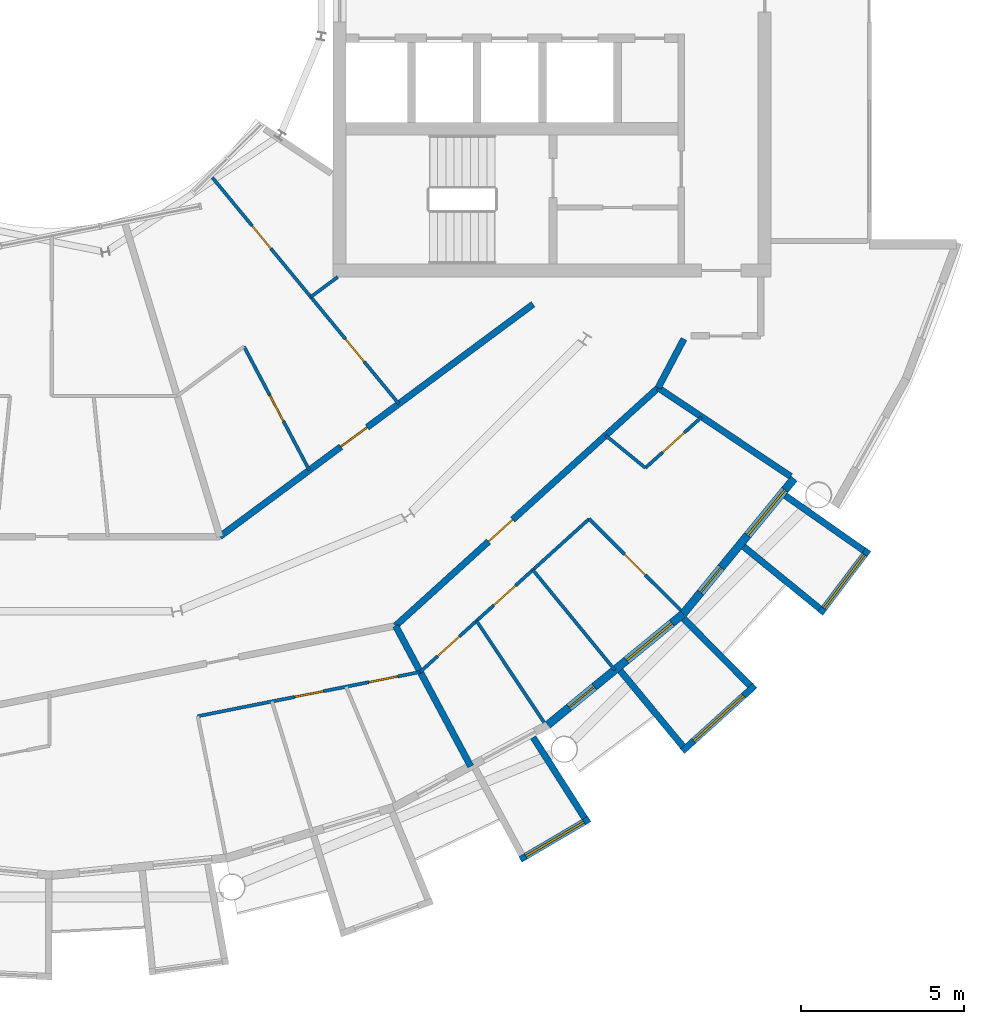
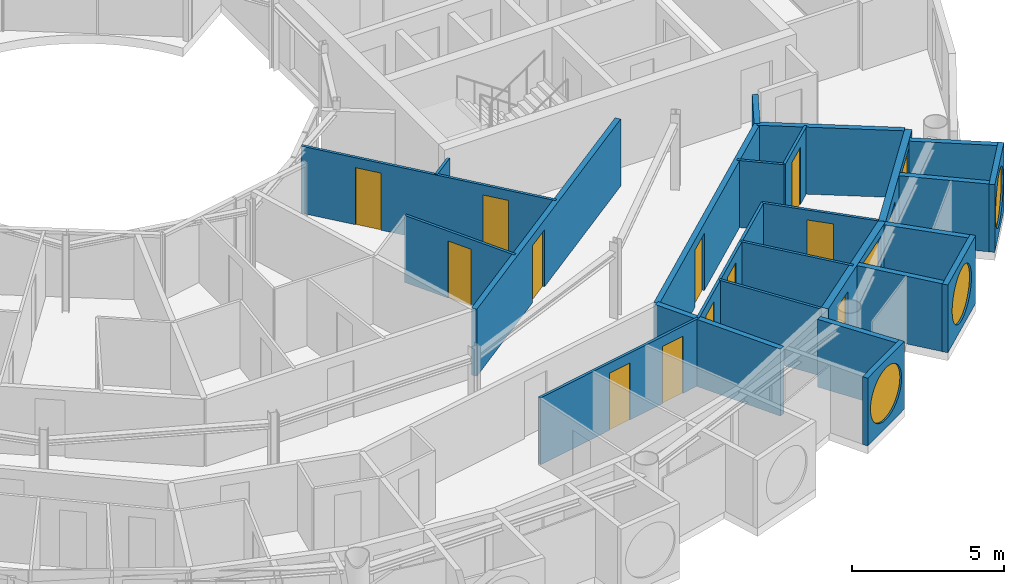
# One storey, part 18 of 28: 25 walls, 13 doors, 5 windows, 18 openings.
"""IFC4 building model written with IfcOpenShell, lengths in metres."""

from ifc_helpers import new_model, si_unit, direction, frame, frame_2d, origin, place, context, subcontext, project, spatial, rectangle, circle, extrude, material, layer, layer_set, type_object, element, fill, save


model = new_model("IFC4")

# Units and contexts
model_context = context("Model", 3, precision=1e-05, world=origin(), true_north=direction((0.0, 1.0)))
body_context = subcontext(model_context, "Body", "Model", "MODEL_VIEW")
ifc_project = project(units=[si_unit("LENGTHUNIT", "METRE"), si_unit("AREAUNIT", "SQUARE_METRE"), si_unit("VOLUMEUNIT", "CUBIC_METRE"), si_unit("PLANEANGLEUNIT", "RADIAN"), si_unit("MASSUNIT", "GRAM", prefix="KILO")], contexts=[model_context])

# Site, building, storey
site_placement = place(None, origin())
site = spatial("IfcSite", under=ifc_project, at=site_placement, CompositionType="ELEMENT")
building_placement = place(site_placement, origin())
building = spatial("IfcBuilding", under=site, at=building_placement, Name="Maasbend Ring Residences", CompositionType="ELEMENT")
storey_placement = place(building_placement, frame((0.0, 0.0, 227.949951171875)))
storey = spatial("IfcBuildingStorey", under=building, at=storey_placement, Name="L65", CompositionType="ELEMENT", Elevation=227.949951171875)

# Wall
ifc_material_1 = material(Name="Concrete C30/37", Category="concrete")
ifc_layer_1 = layer(ifc_material_1, 0.199951171875)
ifc_layer_set_1 = layer_set([ifc_layer_1], Name="Concrete C30/37")
wall_type_1 = type_object("IfcWallType", Name="CORRIDOR WALL 200 CONCRETE", PredefinedType="PARTITIONING", material=ifc_layer_set_1)
wall_1_placement = place(storey_placement, frame((18.5419921875, -12.388916015625, 0.0), z_axis=(0.0, 0.0, 1.0), x_axis=(0.465812036273, 0.88488369115, 0.0)))
element("IfcWall", 1, at=wall_1_placement, inside=storey, type_object=wall_type_1, Name="U-L65-w010", PredefinedType="PARTITIONING", context=body_context, shape_type="SweptSolid", body=[
    extrude(rectangle(XDim=1.687255859375, YDim=0.199951171875, at=frame_2d((0.84375, 0.0))), origin(), (0.0, 0.0, 1.0), 2.699951171875),
])

# Wall, opening, door
wall_2_placement = place(storey_placement, frame((10.511962890625, -19.6669921875, 0.0), z_axis=(0.0, 0.0, 1.0), x_axis=(0.740947367223, 0.671563101283, 0.0)))
wall_2 = element("IfcWall", 2, at=wall_2_placement, inside=storey, type_object=wall_type_1, Name="U-L65-w014", PredefinedType="PARTITIONING", context=body_context, shape_type="SweptSolid", body=[
    extrude(rectangle(XDim=10.83740234375, YDim=0.199951171875, at=frame_2d((5.418701171875, 0.0))), origin(), (0.0, 0.0, 1.0), 2.699951171875),
])
opening_1_placement = place(wall_2_placement, frame((3.8349609375, 0.0, 0.0)))
opening_1 = element("IfcOpeningElement", 3, at=opening_1_placement, cuts=wall_2, Name="Opening D-6540", PredefinedType="OPENING", context=body_context, shape_type="SweptSolid", body=[
    extrude(rectangle(XDim=1.0, YDim=2.300048828125, at=frame_2d((0.5, 1.14990234375))), frame((0.0, 0.10986328125, 0.0), z_axis=(0.0, -1.0, 0.0), x_axis=(1.0, 0.0, 0.0)), (0.0, 0.0, 1.0), 0.219970703125),
])
ifc_material_2 = material(Name="Timber, fire-rated, painted", Category="wood")
door_type_1 = type_object("IfcDoorType", Name="FLAT ENTRANCE DOOR 1000 X 2300 FIRE-RATED", OperationType="NOTDEFINED", PredefinedType="DOOR", material=ifc_material_2)
door_1_placement = place(opening_1_placement, origin())
door_1 = element("IfcDoor", 4, at=door_1_placement, inside=storey, type_object=door_type_1, Name="D-6540", OperationType="SINGLE_SWING_LEFT", OverallHeight=2.300048828125, OverallWidth=1.0, PredefinedType="DOOR", context=body_context, shape_type="SweptSolid", body=[
    extrude(rectangle(XDim=1.0, YDim=2.300048828125, at=frame_2d((0.5, 1.14990234375))), frame((0.0, 0.02490234375, 0.0), z_axis=(0.0, -1.0, 0.0), x_axis=(1.0, 0.0, 0.0)), (0.0, 0.0, 1.0), 0.050048828125),
])
fill(opening_1, door_1)

wall_3_placement = place(storey_placement, frame((5.136962890625, -16.93798828125, 0.0), z_axis=(0.0, 0.0, 1.0), x_axis=(0.803240181354, 0.595655278712, 0.0)))
wall_3 = element("IfcWall", 5, at=wall_3_placement, inside=storey, type_object=wall_type_1, Name="U-L65-w019", PredefinedType="PARTITIONING", context=body_context, shape_type="SweptSolid", body=[
    extrude(rectangle(XDim=11.927978515625, YDim=0.199951171875, at=frame_2d((5.9638671875, 0.0))), origin(), (0.0, 0.0, 1.0), 2.699951171875),
])
opening_2_placement = place(wall_3_placement, frame((4.612060546875, 0.0, 0.0)))
opening_2 = element("IfcOpeningElement", 6, at=opening_2_placement, cuts=wall_3, Name="Opening D-6553", PredefinedType="OPENING", context=body_context, shape_type="SweptSolid", body=[
    extrude(rectangle(XDim=1.0, YDim=2.300048828125, at=frame_2d((0.5, 1.14990234375))), frame((0.0, 0.10986328125, 0.0), z_axis=(0.0, -1.0, 0.0), x_axis=(1.0, 0.0, 0.0)), (0.0, 0.0, 1.0), 0.219970703125),
])
door_2_placement = place(opening_2_placement, origin())
door_2 = element("IfcDoor", 7, at=door_2_placement, inside=storey, type_object=door_type_1, Name="D-6553", OperationType="SINGLE_SWING_LEFT", OverallHeight=2.300048828125, OverallWidth=1.0, PredefinedType="DOOR", context=body_context, shape_type="SweptSolid", body=[
    extrude(rectangle(XDim=1.0, YDim=2.300048828125, at=frame_2d((0.5, 1.14990234375))), frame((0.0, 0.02490234375, 0.0), z_axis=(0.0, -1.0, 0.0), x_axis=(1.0, 0.0, 0.0)), (0.0, 0.0, 1.0), 0.050048828125),
])
fill(opening_2, door_2)

# Wall, opening, window
ifc_material_3 = material(Name="Pale anodised aluminium panel", Category="aluminium")
ifc_layer_2 = layer(ifc_material_3, 0.199951171875)
ifc_layer_set_2 = layer_set([ifc_layer_2], Name="EW-BOX")
wall_type_2 = type_object("IfcWallType", Name="EW-BOX", PredefinedType="SOLIDWALL", material=ifc_layer_set_2)
wall_4_placement = place(storey_placement, frame((14.326904296875, -26.81201171875, -0.030029296875), z_axis=(0.0, 0.0, 1.0), x_axis=(0.862403467503, 0.506221551535, 0.0)))
wall_4 = element("IfcWall", 8, at=wall_4_placement, inside=storey, type_object=wall_type_2, Name="Box front S16", PredefinedType="SOLIDWALL", context=body_context, shape_type="SweptSolid", body=[
    extrude(rectangle(XDim=2.445556640625, YDim=0.199951171875, at=frame_2d((1.22265625, 0.0))), origin(), (0.0, 0.0, 1.0), 2.72998046875),
])
opening_3_placement = place(wall_4_placement, frame((0.182861328125, 0.0, 0.330078125)))
opening_3 = element("IfcOpeningElement", 9, at=opening_3_placement, cuts=wall_4, Name="Opening W-RD", PredefinedType="OPENING", context=body_context, shape_type="SweptSolid", body=[
    extrude(circle(Radius=1.0400390625, at=frame_2d((1.0400390625, 1.0400390625))), frame((0.0, 0.10986328125, 0.0), z_axis=(0.0, -1.0, 0.0), x_axis=(1.0, 0.0, 0.0)), (0.0, 0.0, 1.0), 0.219970703125),
])
ifc_material_4 = material(Name="Aluminium and clear glass", Category="aluminium")
window_type_1 = type_object("IfcWindowType", Name="W-RD", PartitioningType="SINGLE_PANEL", PredefinedType="WINDOW", material=ifc_material_4)
window_1_placement = place(opening_3_placement, origin())
window_1 = element("IfcWindow", 10, at=window_1_placement, inside=storey, type_object=window_type_1, Name="Round window S16", OverallHeight=2.080078125, OverallWidth=2.080078125, PartitioningType="SINGLE_PANEL", PredefinedType="WINDOW", context=body_context, shape_type="SweptSolid", body=[
    extrude(circle(Radius=1.0400390625, at=frame_2d((1.0400390625, 1.0400390625))), frame((0.0, 0.030029296875, 0.0), z_axis=(0.0, -1.0, 0.0), x_axis=(1.0, 0.0, 0.0)), (0.0, 0.0, 1.0), 0.06005859375),
])
fill(opening_3, window_1)

# Wall
wall_5_placement = place(storey_placement, frame((14.721923828125, -23.0791015625, -0.030029296875), z_axis=(0.0, 0.0, 1.0), x_axis=(0.537572179146, -0.843217737129, 0.0)))
element("IfcWall", 11, at=wall_5_placement, inside=storey, type_object=wall_type_2, Name="Box side wall S16 right", PredefinedType="SOLIDWALL", context=body_context, shape_type="SweptSolid", body=[
    extrude(rectangle(XDim=2.92431640625, YDim=0.199951171875, at=frame_2d((1.462158203125, 0.0))), origin(), (0.0, 0.0, 1.0), 2.72998046875),
])

# Wall, opening, window
wall_6_placement = place(storey_placement, frame((19.281982421875, -23.5029296875, -0.030029296875), z_axis=(0.0, 0.0, 1.0), x_axis=(0.740998365753, 0.671506829416, 0.0)))
wall_6 = element("IfcWall", 12, at=wall_6_placement, inside=storey, type_object=wall_type_2, Name="Box front S18", PredefinedType="SOLIDWALL", context=body_context, shape_type="SweptSolid", body=[
    extrude(rectangle(XDim=2.9931640625, YDim=0.199951171875, at=frame_2d((1.49658203125, 0.0))), origin(), (0.0, 0.0, 1.0), 2.72998046875),
])
opening_4_placement = place(wall_6_placement, frame((0.45654296875, 0.0, 0.330078125)))
opening_4 = element("IfcOpeningElement", 13, at=opening_4_placement, cuts=wall_6, Name="Opening W-RD", PredefinedType="OPENING", context=body_context, shape_type="SweptSolid", body=[
    extrude(circle(Radius=1.0400390625, at=frame_2d((1.0400390625, 1.0400390625))), frame((0.0, 0.10986328125, 0.0), z_axis=(0.0, -1.0, 0.0), x_axis=(1.0, 0.0, 0.0)), (0.0, 0.0, 1.0), 0.219970703125),
])
window_2_placement = place(opening_4_placement, origin())
window_2 = element("IfcWindow", 14, at=window_2_placement, inside=storey, type_object=window_type_1, Name="Round window S18", OverallHeight=2.080078125, OverallWidth=2.080078125, PartitioningType="SINGLE_PANEL", PredefinedType="WINDOW", context=body_context, shape_type="SweptSolid", body=[
    extrude(circle(Radius=1.0400390625, at=frame_2d((1.0400390625, 1.0400390625))), frame((0.0, 0.030029296875, 0.0), z_axis=(0.0, -1.0, 0.0), x_axis=(1.0, 0.0, 0.0)), (0.0, 0.0, 1.0), 0.06005859375),
])
fill(opening_4, window_2)

# Walls
wall_7_placement = place(storey_placement, frame((17.384033203125, -21.041015625, -0.030029296875), z_axis=(0.0, 0.0, 1.0), x_axis=(0.63709551667, -0.770784861449, 0.0)))
element("IfcWall", 15, at=wall_7_placement, inside=storey, type_object=wall_type_2, Name="Box side wall S18 left", PredefinedType="SOLIDWALL", context=body_context, shape_type="SweptSolid", body=[
    extrude(rectangle(XDim=3.005859375, YDim=0.199951171875, at=frame_2d((1.5029296875, 0.0))), origin(), (0.0, 0.0, 1.0), 2.72998046875),
])
wall_8_placement = place(storey_placement, frame((19.322998046875, -19.449951171875, -0.030029296875), z_axis=(0.0, 0.0, 1.0), x_axis=(0.704476739375, -0.709727076896, 0.0)))
element("IfcWall", 16, at=wall_8_placement, inside=storey, type_object=wall_type_2, Name="Box side wall S18 right", PredefinedType="SOLIDWALL", context=body_context, shape_type="SweptSolid", body=[
    extrude(rectangle(XDim=2.883056640625, YDim=0.199951171875, at=frame_2d((1.44140625, 0.0))), origin(), (0.0, 0.0, 1.0), 2.72998046875),
])

# Wall, opening, window
wall_9_placement = place(storey_placement, frame((23.4970703125, -19.2890625, -0.030029296875), z_axis=(0.0, 0.0, 1.0), x_axis=(0.602806268067, 0.797887588059, 0.0)))
wall_9 = element("IfcWall", 17, at=wall_9_placement, inside=storey, type_object=wall_type_2, Name="Box front S20", PredefinedType="SOLIDWALL", context=body_context, shape_type="SweptSolid", body=[
    extrude(rectangle(XDim=2.446533203125, YDim=0.199951171875, at=frame_2d((1.22314453125, 0.0))), origin(), (0.0, 0.0, 1.0), 2.72998046875),
])
opening_5_placement = place(wall_9_placement, frame((0.182861328125, 0.0, 0.330078125)))
opening_5 = element("IfcOpeningElement", 18, at=opening_5_placement, cuts=wall_9, Name="Opening W-RD", PredefinedType="OPENING", context=body_context, shape_type="SweptSolid", body=[
    extrude(circle(Radius=1.0400390625, at=frame_2d((1.0400390625, 1.0400390625))), frame((0.0, 0.10986328125, 0.0), z_axis=(0.0, -1.0, 0.0), x_axis=(1.0, 0.0, 0.0)), (0.0, 0.0, 1.0), 0.219970703125),
])
window_3_placement = place(opening_5_placement, origin())
window_3 = element("IfcWindow", 19, at=window_3_placement, inside=storey, type_object=window_type_1, Name="Round window S20", OverallHeight=2.080078125, OverallWidth=2.080078125, PartitioningType="SINGLE_PANEL", PredefinedType="WINDOW", context=body_context, shape_type="SweptSolid", body=[
    extrude(circle(Radius=1.0400390625, at=frame_2d((1.0400390625, 1.0400390625))), frame((0.0, 0.030029296875, 0.0), z_axis=(0.0, -1.0, 0.0), x_axis=(1.0, 0.0, 0.0)), (0.0, 0.0, 1.0), 0.06005859375),
])
fill(opening_5, window_3)

# Walls
wall_10_placement = place(storey_placement, frame((21.155029296875, -17.24609375, -0.030029296875), z_axis=(0.0, 0.0, 1.0), x_axis=(0.775179004516, -0.631741648902, 0.0)))
element("IfcWall", 20, at=wall_10_placement, inside=storey, type_object=wall_type_2, Name="Box side wall S20 left", PredefinedType="SOLIDWALL", context=body_context, shape_type="SweptSolid", body=[
    extrude(rectangle(XDim=3.005859375, YDim=0.199951171875, at=frame_2d((1.5029296875, 0.0))), origin(), (0.0, 0.0, 1.0), 2.72998046875),
])
wall_11_placement = place(storey_placement, frame((22.43310546875, -15.68798828125, -0.030029296875), z_axis=(0.0, 0.0, 1.0), x_axis=(0.819373043115, -0.573260687834, 0.0)))
element("IfcWall", 21, at=wall_11_placement, inside=storey, type_object=wall_type_2, Name="Box side wall S20 right", PredefinedType="SOLIDWALL", context=body_context, shape_type="SweptSolid", body=[
    extrude(rectangle(XDim=2.92529296875, YDim=0.199951171875, at=frame_2d((1.462646484375, 0.0))), origin(), (0.0, 0.0, 1.0), 2.72998046875),
])

# Wall, openings, door, window
ifc_material_5 = material(Name="Aluminium clad insulated panel", Category="aluminium")
ifc_layer_3 = layer(ifc_material_5, 0.25)
ifc_layer_set_3 = layer_set([ifc_layer_3], Name="EW-GL")
wall_type_3 = type_object("IfcWallType", Name="EW-GL", PredefinedType="SOLIDWALL", material=ifc_layer_set_3)
wall_12_placement = place(storey_placement, frame((15.1669921875, -22.698974609375, 0.0), z_axis=(0.0, 0.0, 1.0), x_axis=(0.773019449054, 0.634382322723, 0.0)))
wall_12 = element("IfcWall", 22, at=wall_12_placement, inside=storey, type_object=wall_type_3, Name="External wall S09", PredefinedType="SOLIDWALL", context=body_context, shape_type="SweptSolid", body=[
    extrude(rectangle(XDim=5.351806640625, YDim=0.25, at=frame_2d((2.67578125, 0.0))), origin(), (0.0, 0.0, 1.0), 2.699951171875),
])
opening_6_placement = place(wall_12_placement, frame((0.841064453125, 0.0, 0.0)))
opening_6 = element("IfcOpeningElement", 23, at=opening_6_placement, cuts=wall_12, Name="Opening D-LG", PredefinedType="OPENING", context=body_context, shape_type="SweptSolid", body=[
    extrude(rectangle(XDim=1.0, YDim=2.199951171875, at=frame_2d((0.5, 1.10009765625))), frame((0.0, 0.135009765625, 0.0), z_axis=(0.0, -1.0, 0.0), x_axis=(1.0, 0.0, 0.0)), (0.0, 0.0, 1.0), 0.27001953125),
])
opening_7_placement = place(wall_12_placement, frame((3.110595703125, 0.0, 0.300048828125)))
opening_7 = element("IfcOpeningElement", 24, at=opening_7_placement, cuts=wall_12, Name="Opening W-BX", PredefinedType="OPENING", context=body_context, shape_type="SweptSolid", body=[
    extrude(rectangle(XDim=1.800048828125, YDim=2.10009765625, at=frame_2d((0.89990234375, 1.050048828125))), frame((0.0, 0.135009765625, 0.0), z_axis=(0.0, -1.0, 0.0), x_axis=(1.0, 0.0, 0.0)), (0.0, 0.0, 1.0), 0.27001953125),
])
ifc_material_6 = material(Name="Aluminium and clear glass", Category="aluminium")
door_type_2 = type_object("IfcDoorType", Name="D-LG", OperationType="SINGLE_SWING_LEFT", PredefinedType="DOOR", material=ifc_material_6)
door_3_placement = place(opening_6_placement, origin())
door_3 = element("IfcDoor", 25, at=door_3_placement, inside=storey, type_object=door_type_2, Name="Loggia door S17", OperationType="SINGLE_SWING_LEFT", OverallHeight=2.199951171875, OverallWidth=1.0, PredefinedType="DOOR", context=body_context, shape_type="SweptSolid", body=[
    extrude(rectangle(XDim=1.0, YDim=2.199951171875, at=frame_2d((0.5, 1.10009765625))), frame((0.0, 0.02490234375, 0.0), z_axis=(0.0, -1.0, 0.0), x_axis=(1.0, 0.0, 0.0)), (0.0, 0.0, 1.0), 0.050048828125),
])
fill(opening_6, door_3)
ifc_material_7 = material(Name="Aluminium and clear glass", Category="aluminium")
window_type_2 = type_object("IfcWindowType", Name="W-BX", PartitioningType="DOUBLE_PANEL_VERTICAL", PredefinedType="WINDOW", material=ifc_material_7)
window_4_placement = place(opening_7_placement, origin())
window_4 = element("IfcWindow", 26, at=window_4_placement, inside=storey, type_object=window_type_2, Name="Window S18 room to box", OverallHeight=2.10009765625, OverallWidth=1.800048828125, PartitioningType="SINGLE_PANEL", PredefinedType="WINDOW", context=body_context, shape_type="SweptSolid", body=[
    extrude(rectangle(XDim=1.800048828125, YDim=2.10009765625, at=frame_2d((0.89990234375, 1.050048828125))), frame((0.0, 0.030029296875, 0.0), z_axis=(0.0, -1.0, 0.0), x_axis=(1.0, 0.0, 0.0)), (0.0, 0.0, 1.0), 0.06005859375),
])
fill(opening_7, window_4)

wall_13_placement = place(storey_placement, frame((19.303955078125, -19.303955078125, 0.0), z_axis=(0.0, 0.0, 1.0), x_axis=(0.634382322723, 0.773019449054, 0.0)))
wall_13 = element("IfcWall", 27, at=wall_13_placement, inside=storey, type_object=wall_type_3, Name="External wall S10", PredefinedType="SOLIDWALL", context=body_context, shape_type="SweptSolid", body=[
    extrude(rectangle(XDim=5.351806640625, YDim=0.25, at=frame_2d((2.67578125, 0.0))), origin(), (0.0, 0.0, 1.0), 2.699951171875),
])
opening_8_placement = place(wall_13_placement, frame((0.841064453125, 0.0, 0.0)))
opening_8 = element("IfcOpeningElement", 28, at=opening_8_placement, cuts=wall_13, Name="Opening D-LG", PredefinedType="OPENING", context=body_context, shape_type="SweptSolid", body=[
    extrude(rectangle(XDim=1.0, YDim=2.199951171875, at=frame_2d((0.5, 1.10009765625))), frame((0.0, 0.135009765625, 0.0), z_axis=(0.0, -1.0, 0.0), x_axis=(1.0, 0.0, 0.0)), (0.0, 0.0, 1.0), 0.27001953125),
])
opening_9_placement = place(wall_13_placement, frame((3.110595703125, 0.0, 0.300048828125)))
opening_9 = element("IfcOpeningElement", 29, at=opening_9_placement, cuts=wall_13, Name="Opening W-BX", PredefinedType="OPENING", context=body_context, shape_type="SweptSolid", body=[
    extrude(rectangle(XDim=1.800048828125, YDim=2.10009765625, at=frame_2d((0.89990234375, 1.050048828125))), frame((0.0, 0.135009765625, 0.0), z_axis=(0.0, -1.0, 0.0), x_axis=(1.0, 0.0, 0.0)), (0.0, 0.0, 1.0), 0.27001953125),
])
door_4_placement = place(opening_8_placement, origin())
door_4 = element("IfcDoor", 30, at=door_4_placement, inside=storey, type_object=door_type_2, Name="Loggia door S19", OperationType="SINGLE_SWING_LEFT", OverallHeight=2.199951171875, OverallWidth=1.0, PredefinedType="DOOR", context=body_context, shape_type="SweptSolid", body=[
    extrude(rectangle(XDim=1.0, YDim=2.199951171875, at=frame_2d((0.5, 1.10009765625))), frame((0.0, 0.02490234375, 0.0), z_axis=(0.0, -1.0, 0.0), x_axis=(1.0, 0.0, 0.0)), (0.0, 0.0, 1.0), 0.050048828125),
])
fill(opening_8, door_4)
window_5_placement = place(opening_9_placement, origin())
window_5 = element("IfcWindow", 31, at=window_5_placement, inside=storey, type_object=window_type_2, Name="Window S20 room to box", OverallHeight=2.10009765625, OverallWidth=1.800048828125, PartitioningType="SINGLE_PANEL", PredefinedType="WINDOW", context=body_context, shape_type="SweptSolid", body=[
    extrude(rectangle(XDim=1.800048828125, YDim=2.10009765625, at=frame_2d((0.89990234375, 1.050048828125))), frame((0.0, 0.030029296875, 0.0), z_axis=(0.0, -1.0, 0.0), x_axis=(1.0, 0.0, 0.0)), (0.0, 0.0, 1.0), 0.06005859375),
])
fill(opening_9, window_5)

# Wall, openings, doors
ifc_material_8 = material(Name="Gypsum board on steel studs", Category="steel")
ifc_layer_4 = layer(ifc_material_8, 0.10009765625)
ifc_layer_set_4 = layer_set([ifc_layer_4], Name="PARTITION 100 GYPSUM")
wall_type_4 = type_object("IfcWallType", Name="PARTITION 100 GYPSUM", PredefinedType="PARTITIONING", material=ifc_layer_set_4)
wall_14_placement = place(storey_placement, frame((11.26611328125, -21.077880859375, 0.0), z_axis=(0.0, 0.0, 1.0), x_axis=(0.74114118713, 0.671349194339, 0.0)))
wall_14 = element("IfcWall", 32, at=wall_14_placement, inside=storey, type_object=wall_type_4, Name="U-L65-w003", PredefinedType="PARTITIONING", context=body_context, shape_type="SweptSolid", body=[
    extrude(rectangle(XDim=6.96484375, YDim=0.10009765625, at=frame_2d((3.482421875, 0.0))), origin(), (0.0, 0.0, 1.0), 2.699951171875),
])
opening_10_placement = place(wall_14_placement, frame((3.033935546875, 0.0, 0.0)))
opening_10 = element("IfcOpeningElement", 33, at=opening_10_placement, cuts=wall_14, Name="Opening D-6543", PredefinedType="OPENING", context=body_context, shape_type="SweptSolid", body=[
    extrude(rectangle(XDim=0.89990234375, YDim=2.300048828125, at=frame_2d((0.449951171875, 1.14990234375))), frame((0.0, 0.06005859375, 0.0), z_axis=(0.0, -1.0, 0.0), x_axis=(1.0, 0.0, 0.0)), (0.0, 0.0, 1.0), 0.1201171875),
])
opening_11_placement = place(wall_14_placement, frame((0.7119140625, 0.0, 0.0)))
opening_11 = element("IfcOpeningElement", 34, at=opening_11_placement, cuts=wall_14, Name="Opening D-6544", PredefinedType="OPENING", context=body_context, shape_type="SweptSolid", body=[
    extrude(rectangle(XDim=0.89990234375, YDim=2.300048828125, at=frame_2d((0.449951171875, 1.14990234375))), frame((0.0, 0.06005859375, 0.0), z_axis=(0.0, -1.0, 0.0), x_axis=(1.0, 0.0, 0.0)), (0.0, 0.0, 1.0), 0.1201171875),
])
ifc_material_9 = material(Name="Timber, painted", Category="wood")
door_type_3 = type_object("IfcDoorType", Name="INTERNAL DOOR 900 X 2300", OperationType="NOTDEFINED", PredefinedType="DOOR", material=ifc_material_9)
door_5_placement = place(opening_10_placement, origin())
door_5 = element("IfcDoor", 35, at=door_5_placement, inside=storey, type_object=door_type_3, Name="D-6543", OperationType="SINGLE_SWING_RIGHT", OverallHeight=2.300048828125, OverallWidth=0.89990234375, PredefinedType="DOOR", context=body_context, shape_type="SweptSolid", body=[
    extrude(rectangle(XDim=0.89990234375, YDim=2.300048828125, at=frame_2d((0.449951171875, 1.14990234375))), frame((0.0, 0.02490234375, 0.0), z_axis=(0.0, -1.0, 0.0), x_axis=(1.0, 0.0, 0.0)), (0.0, 0.0, 1.0), 0.050048828125),
])
fill(opening_10, door_5)
door_6_placement = place(opening_11_placement, origin())
door_6 = element("IfcDoor", 36, at=door_6_placement, inside=storey, type_object=door_type_3, Name="D-6544", OperationType="SINGLE_SWING_LEFT", OverallHeight=2.300048828125, OverallWidth=0.89990234375, PredefinedType="DOOR", context=body_context, shape_type="SweptSolid", body=[
    extrude(rectangle(XDim=0.89990234375, YDim=2.300048828125, at=frame_2d((0.449951171875, 1.14990234375))), frame((0.0, 0.02490234375, 0.0), z_axis=(0.0, -1.0, 0.0), x_axis=(1.0, 0.0, 0.0)), (0.0, 0.0, 1.0), 0.050048828125),
])
fill(opening_11, door_6)

# Wall, opening, door
wall_15_placement = place(storey_placement, frame((18.14697265625, -14.843994140625, 0.0), z_axis=(0.0, 0.0, 1.0), x_axis=(0.741080073381, 0.671416655169, 0.0)))
wall_15 = element("IfcWall", 37, at=wall_15_placement, inside=storey, type_object=wall_type_4, Name="U-L65-w004", PredefinedType="PARTITIONING", context=body_context, shape_type="SweptSolid", body=[
    extrude(rectangle(XDim=2.323486328125, YDim=0.10009765625, at=frame_2d((1.16162109375, 0.0))), origin(), (0.0, 0.0, 1.0), 2.699951171875),
])
opening_12_placement = place(wall_15_placement, frame((0.718017578125, 0.0, 0.0)))
opening_12 = element("IfcOpeningElement", 38, at=opening_12_placement, cuts=wall_15, Name="Opening D-6541", PredefinedType="OPENING", context=body_context, shape_type="SweptSolid", body=[
    extrude(rectangle(XDim=0.89990234375, YDim=2.300048828125, at=frame_2d((0.449951171875, 1.14990234375))), frame((0.0, 0.06005859375, 0.0), z_axis=(0.0, -1.0, 0.0), x_axis=(1.0, 0.0, 0.0)), (0.0, 0.0, 1.0), 0.1201171875),
])
door_7_placement = place(opening_12_placement, origin())
door_7 = element("IfcDoor", 39, at=door_7_placement, inside=storey, type_object=door_type_3, Name="D-6541", OperationType="SINGLE_SWING_RIGHT", OverallHeight=2.300048828125, OverallWidth=0.89990234375, PredefinedType="DOOR", context=body_context, shape_type="SweptSolid", body=[
    extrude(rectangle(XDim=0.89990234375, YDim=2.300048828125, at=frame_2d((0.449951171875, 1.14990234375))), frame((0.0, 0.02490234375, 0.0), z_axis=(0.0, -1.0, 0.0), x_axis=(1.0, 0.0, 0.0)), (0.0, 0.0, 1.0), 0.050048828125),
])
fill(opening_12, door_7)

# Wall, openings, doors
wall_16_placement = place(storey_placement, frame((4.4599609375, -22.43310546875, 0.0), z_axis=(0.0, 0.0, 1.0), x_axis=(0.980795304313, 0.195039921651, 0.0)))
wall_16 = element("IfcWall", 40, at=wall_16_placement, inside=storey, type_object=wall_type_4, Name="U-L65-w008", PredefinedType="PARTITIONING", context=body_context, shape_type="SweptSolid", body=[
    extrude(rectangle(XDim=6.937255859375, YDim=0.10009765625, at=frame_2d((3.46875, 0.0))), origin(), (0.0, 0.0, 1.0), 2.699951171875),
])
opening_13_placement = place(wall_16_placement, frame((3.02099609375, 0.0, 0.0)))
opening_13 = element("IfcOpeningElement", 41, at=opening_13_placement, cuts=wall_16, Name="Opening D-6538", PredefinedType="OPENING", context=body_context, shape_type="SweptSolid", body=[
    extrude(rectangle(XDim=0.89990234375, YDim=2.300048828125, at=frame_2d((0.449951171875, 1.14990234375))), frame((0.0, 0.06005859375, 0.0), z_axis=(0.0, -1.0, 0.0), x_axis=(1.0, 0.0, 0.0)), (0.0, 0.0, 1.0), 0.1201171875),
])
opening_14_placement = place(wall_16_placement, frame((5.333984375, 0.0, 0.0)))
opening_14 = element("IfcOpeningElement", 42, at=opening_14_placement, cuts=wall_16, Name="Opening D-6539", PredefinedType="OPENING", context=body_context, shape_type="SweptSolid", body=[
    extrude(rectangle(XDim=0.89990234375, YDim=2.300048828125, at=frame_2d((0.449951171875, 1.14990234375))), frame((0.0, 0.06005859375, 0.0), z_axis=(0.0, -1.0, 0.0), x_axis=(1.0, 0.0, 0.0)), (0.0, 0.0, 1.0), 0.1201171875),
])
door_8_placement = place(opening_13_placement, origin())
door_8 = element("IfcDoor", 43, at=door_8_placement, inside=storey, type_object=door_type_3, Name="D-6538", OperationType="SINGLE_SWING_RIGHT", OverallHeight=2.300048828125, OverallWidth=0.89990234375, PredefinedType="DOOR", context=body_context, shape_type="SweptSolid", body=[
    extrude(rectangle(XDim=0.89990234375, YDim=2.300048828125, at=frame_2d((0.449951171875, 1.14990234375))), frame((0.0, 0.02490234375, 0.0), z_axis=(0.0, -1.0, 0.0), x_axis=(1.0, 0.0, 0.0)), (0.0, 0.0, 1.0), 0.050048828125),
])
fill(opening_13, door_8)
door_9_placement = place(opening_14_placement, origin())
door_9 = element("IfcDoor", 44, at=door_9_placement, inside=storey, type_object=door_type_3, Name="D-6539", OperationType="SINGLE_SWING_RIGHT", OverallHeight=2.300048828125, OverallWidth=0.89990234375, PredefinedType="DOOR", context=body_context, shape_type="SweptSolid", body=[
    extrude(rectangle(XDim=0.89990234375, YDim=2.300048828125, at=frame_2d((0.449951171875, 1.14990234375))), frame((0.0, 0.02490234375, 0.0), z_axis=(0.0, -1.0, 0.0), x_axis=(1.0, 0.0, 0.0)), (0.0, 0.0, 1.0), 0.050048828125),
])
fill(opening_14, door_9)

# Wall
wall_17_placement = place(storey_placement, frame((7.9189453125, -9.611083984375, 0.0), z_axis=(0.0, 0.0, 1.0), x_axis=(0.80321556998, 0.595688465677, 0.0)))
element("IfcWall", 45, at=wall_17_placement, inside=storey, type_object=wall_type_4, Name="U-L65-w025", PredefinedType="PARTITIONING", context=body_context, shape_type="SweptSolid", body=[
    extrude(rectangle(XDim=1.02587890625, YDim=0.10009765625, at=frame_2d((0.512939453125, 0.0))), origin(), (0.0, 0.0, 1.0), 2.699951171875),
])

# Wall, openings, doors
wall_18_placement = place(storey_placement, frame((4.907958984375, -5.958984375, 0.0), z_axis=(0.0, 0.0, 1.0), x_axis=(0.636115614725, -0.771593756262, 0.0)))
wall_18 = element("IfcWall", 46, at=wall_18_placement, inside=storey, type_object=wall_type_4, Name="U-L65-w063", PredefinedType="PARTITIONING", context=body_context, shape_type="SweptSolid", body=[
    extrude(rectangle(XDim=8.967041015625, YDim=0.10009765625, at=frame_2d((4.4833984375, 0.0))), origin(), (0.0, 0.0, 1.0), 2.699951171875),
])
opening_15_placement = place(wall_18_placement, frame((6.39990234375, 0.0, 0.0)))
opening_15 = element("IfcOpeningElement", 47, at=opening_15_placement, cuts=wall_18, Name="Opening D-6555", PredefinedType="OPENING", context=body_context, shape_type="SweptSolid", body=[
    extrude(rectangle(XDim=0.89990234375, YDim=2.300048828125, at=frame_2d((0.449951171875, 1.14990234375))), frame((0.0, 0.06005859375, 0.0), z_axis=(0.0, -1.0, 0.0), x_axis=(1.0, 0.0, 0.0)), (0.0, 0.0, 1.0), 0.1201171875),
])
opening_16_placement = place(wall_18_placement, frame((1.9169921875, 0.0, 0.0)))
opening_16 = element("IfcOpeningElement", 48, at=opening_16_placement, cuts=wall_18, Name="Opening D-6556", PredefinedType="OPENING", context=body_context, shape_type="SweptSolid", body=[
    extrude(rectangle(XDim=0.89990234375, YDim=2.300048828125, at=frame_2d((0.449951171875, 1.14990234375))), frame((0.0, 0.06005859375, 0.0), z_axis=(0.0, -1.0, 0.0), x_axis=(1.0, 0.0, 0.0)), (0.0, 0.0, 1.0), 0.1201171875),
])
door_10_placement = place(opening_15_placement, origin())
door_10 = element("IfcDoor", 49, at=door_10_placement, inside=storey, type_object=door_type_3, Name="D-6555", OperationType="SINGLE_SWING_RIGHT", OverallHeight=2.300048828125, OverallWidth=0.89990234375, PredefinedType="DOOR", context=body_context, shape_type="SweptSolid", body=[
    extrude(rectangle(XDim=0.89990234375, YDim=2.300048828125, at=frame_2d((0.449951171875, 1.14990234375))), frame((0.0, 0.02490234375, 0.0), z_axis=(0.0, -1.0, 0.0), x_axis=(1.0, 0.0, 0.0)), (0.0, 0.0, 1.0), 0.050048828125),
])
fill(opening_15, door_10)
door_11_placement = place(opening_16_placement, origin())
door_11 = element("IfcDoor", 50, at=door_11_placement, inside=storey, type_object=door_type_3, Name="D-6556", OperationType="SINGLE_SWING_LEFT", OverallHeight=2.300048828125, OverallWidth=0.89990234375, PredefinedType="DOOR", context=body_context, shape_type="SweptSolid", body=[
    extrude(rectangle(XDim=0.89990234375, YDim=2.300048828125, at=frame_2d((0.449951171875, 1.14990234375))), frame((0.0, 0.02490234375, 0.0), z_axis=(0.0, -1.0, 0.0), x_axis=(1.0, 0.0, 0.0)), (0.0, 0.0, 1.0), 0.050048828125),
])
fill(opening_16, door_11)

# Wall, opening, door
wall_19_placement = place(storey_placement, frame((5.8759765625, -11.1259765625, 0.0), z_axis=(0.0, 0.0, 1.0), x_axis=(0.467030118529, -0.884241408432, 0.0)))
wall_19 = element("IfcWall", 51, at=wall_19_placement, inside=storey, type_object=wall_type_4, Name="U-L65-w064", PredefinedType="PARTITIONING", context=body_context, shape_type="SweptSolid", body=[
    extrude(rectangle(XDim=4.278076171875, YDim=0.10009765625, at=frame_2d((2.13916015625, 0.0))), origin(), (0.0, 0.0, 1.0), 2.699951171875),
])
opening_17_placement = place(wall_19_placement, frame((1.68896484375, 0.0, 0.0)))
opening_17 = element("IfcOpeningElement", 52, at=opening_17_placement, cuts=wall_19, Name="Opening D-6554", PredefinedType="OPENING", context=body_context, shape_type="SweptSolid", body=[
    extrude(rectangle(XDim=0.89990234375, YDim=2.300048828125, at=frame_2d((0.449951171875, 1.14990234375))), frame((0.0, 0.06005859375, 0.0), z_axis=(0.0, -1.0, 0.0), x_axis=(1.0, 0.0, 0.0)), (0.0, 0.0, 1.0), 0.1201171875),
])
door_12_placement = place(opening_17_placement, origin())
door_12 = element("IfcDoor", 53, at=door_12_placement, inside=storey, type_object=door_type_3, Name="D-6554", OperationType="SINGLE_SWING_LEFT", OverallHeight=2.300048828125, OverallWidth=0.89990234375, PredefinedType="DOOR", context=body_context, shape_type="SweptSolid", body=[
    extrude(rectangle(XDim=0.89990234375, YDim=2.300048828125, at=frame_2d((0.449951171875, 1.14990234375))), frame((0.0, 0.02490234375, 0.0), z_axis=(0.0, -1.0, 0.0), x_axis=(1.0, 0.0, 0.0)), (0.0, 0.0, 1.0), 0.050048828125),
])
fill(opening_17, door_12)

# Walls
wall_20_placement = place(storey_placement, frame((12.988037109375, -19.51806640625, 0.0), z_axis=(0.0, 0.0, 1.0), x_axis=(0.553823887887, -0.83263383381, 0.0)))
element("IfcWall", 54, at=wall_20_placement, inside=storey, type_object=wall_type_4, Name="U-L65-w071", PredefinedType="PARTITIONING", context=body_context, shape_type="SweptSolid", body=[
    extrude(rectangle(XDim=3.730224609375, YDim=0.10009765625, at=frame_2d((1.865234375, 0.0))), origin(), (0.0, 0.0, 1.0), 2.699951171875),
])
wall_21_placement = place(storey_placement, frame((14.708984375, -17.9580078125, 0.0), z_axis=(0.0, 0.0, 1.0), x_axis=(0.633590098448, -0.773668913133, 0.0)))
element("IfcWall", 55, at=wall_21_placement, inside=storey, type_object=wall_type_4, Name="U-L65-w073", PredefinedType="PARTITIONING", context=body_context, shape_type="SweptSolid", body=[
    extrude(rectangle(XDim=3.961669921875, YDim=0.10009765625, at=frame_2d((1.98095703125, 0.0))), origin(), (0.0, 0.0, 1.0), 2.699951171875),
])

# Wall, opening, door
wall_22_placement = place(storey_placement, frame((16.429931640625, -16.39794921875, 0.0), z_axis=(0.0, 0.0, 1.0), x_axis=(0.707722727509, -0.706490297858, 0.0)))
wall_22 = element("IfcWall", 56, at=wall_22_placement, inside=storey, type_object=wall_type_4, Name="U-L65-w075", PredefinedType="PARTITIONING", context=body_context, shape_type="SweptSolid", body=[
    extrude(rectangle(XDim=3.9619140625, YDim=0.10009765625, at=frame_2d((1.98095703125, 0.0))), origin(), (0.0, 0.0, 1.0), 2.699951171875),
])
opening_18_placement = place(wall_22_placement, frame((1.531005859375, 0.0, 0.0)))
opening_18 = element("IfcOpeningElement", 57, at=opening_18_placement, cuts=wall_22, Name="Opening D-6542", PredefinedType="OPENING", context=body_context, shape_type="SweptSolid", body=[
    extrude(rectangle(XDim=0.89990234375, YDim=2.300048828125, at=frame_2d((0.449951171875, 1.14990234375))), frame((0.0, 0.06005859375, 0.0), z_axis=(0.0, -1.0, 0.0), x_axis=(1.0, 0.0, 0.0)), (0.0, 0.0, 1.0), 0.1201171875),
])
door_13_placement = place(opening_18_placement, origin())
door_13 = element("IfcDoor", 58, at=door_13_placement, inside=storey, type_object=door_type_3, Name="D-6542", OperationType="SINGLE_SWING_RIGHT", OverallHeight=2.300048828125, OverallWidth=0.89990234375, PredefinedType="DOOR", context=body_context, shape_type="SweptSolid", body=[
    extrude(rectangle(XDim=0.89990234375, YDim=2.300048828125, at=frame_2d((0.449951171875, 1.14990234375))), frame((0.0, 0.02490234375, 0.0), z_axis=(0.0, -1.0, 0.0), x_axis=(1.0, 0.0, 0.0)), (0.0, 0.0, 1.0), 0.050048828125),
])
fill(opening_18, door_13)

# Walls
wall_23_placement = place(storey_placement, frame((16.93603515625, -13.844970703125, 0.0), z_axis=(0.0, 0.0, 1.0), x_axis=(0.774283039722, -0.632839453889, 0.0)))
element("IfcWall", 59, at=wall_23_placement, inside=storey, type_object=wall_type_4, Name="U-L65-w077", PredefinedType="PARTITIONING", context=body_context, shape_type="SweptSolid", body=[
    extrude(rectangle(XDim=1.569091796875, YDim=0.10009765625, at=frame_2d((0.78466796875, 0.0))), origin(), (0.0, 0.0, 1.0), 2.699951171875),
])
ifc_material_10 = material(Name="Concrete C30/37", Category="concrete")
ifc_layer_5 = layer(ifc_material_10, 0.199951171875)
ifc_layer_set_5 = layer_set([ifc_layer_5], Name="Concrete C30/37")
wall_type_5 = type_object("IfcWallType", Name="PARTY WALL 200 CONCRETE", PredefinedType="PARTITIONING", material=ifc_layer_set_5)
wall_24_placement = place(storey_placement, frame((10.511962890625, -19.6669921875, 0.0), z_axis=(0.0, 0.0, 1.0), x_axis=(0.471427642527, -0.881904744211, 0.0)))
element("IfcWall", 60, at=wall_24_placement, inside=storey, type_object=wall_type_5, Name="U-L65-w069", PredefinedType="PARTITIONING", context=body_context, shape_type="SweptSolid", body=[
    extrude(rectangle(XDim=4.874755859375, YDim=0.199951171875, at=frame_2d((2.4375, 0.0))), origin(), (0.0, 0.0, 1.0), 2.699951171875),
])
wall_25_placement = place(storey_placement, frame((18.5419921875, -12.388916015625, 0.0), z_axis=(0.0, 0.0, 1.0), x_axis=(0.831387096605, -0.55569370664, 0.0)))
element("IfcWall", 61, at=wall_25_placement, inside=storey, type_object=wall_type_5, Name="U-L65-w079", PredefinedType="PARTITIONING", context=body_context, shape_type="SweptSolid", body=[
    extrude(rectangle(XDim=4.875, YDim=0.199951171875, at=frame_2d((2.4375, 0.0))), origin(), (0.0, 0.0, 1.0), 2.699951171875),
])

save(model, "model.ifc")
